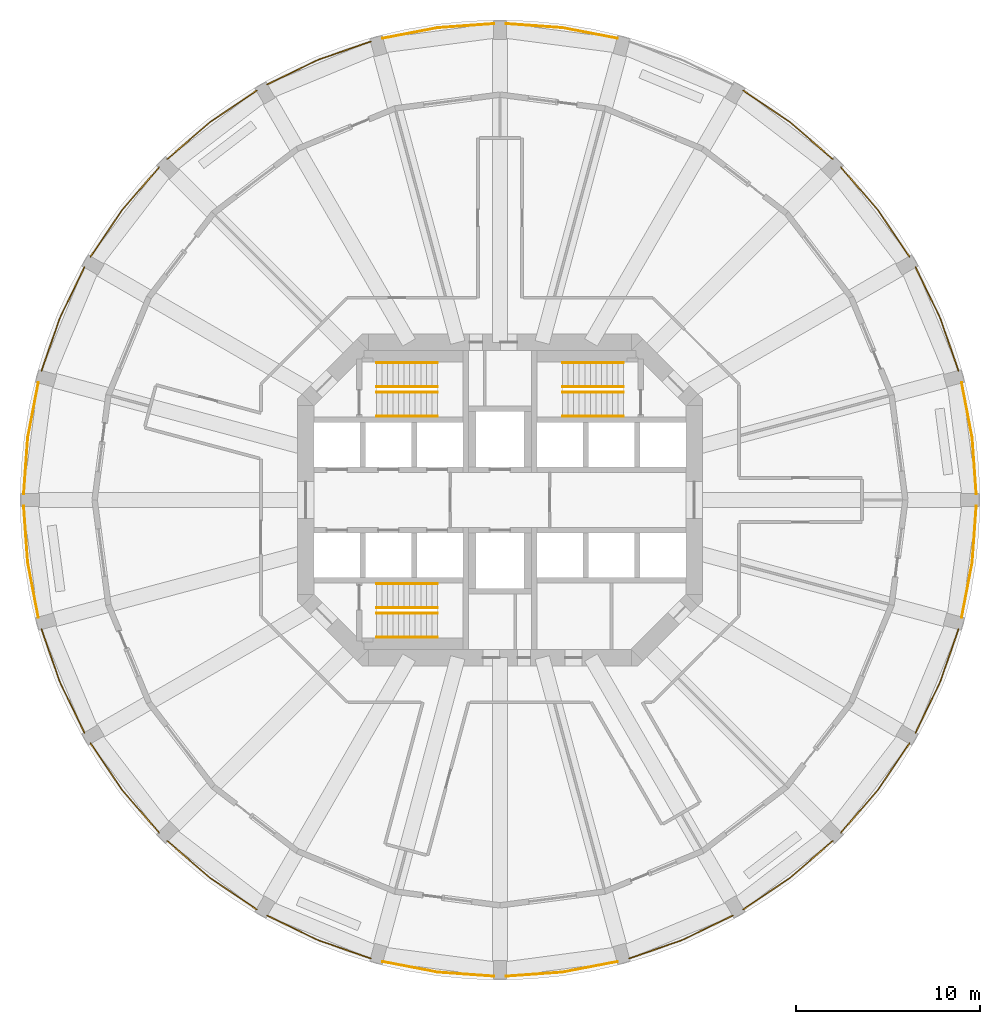
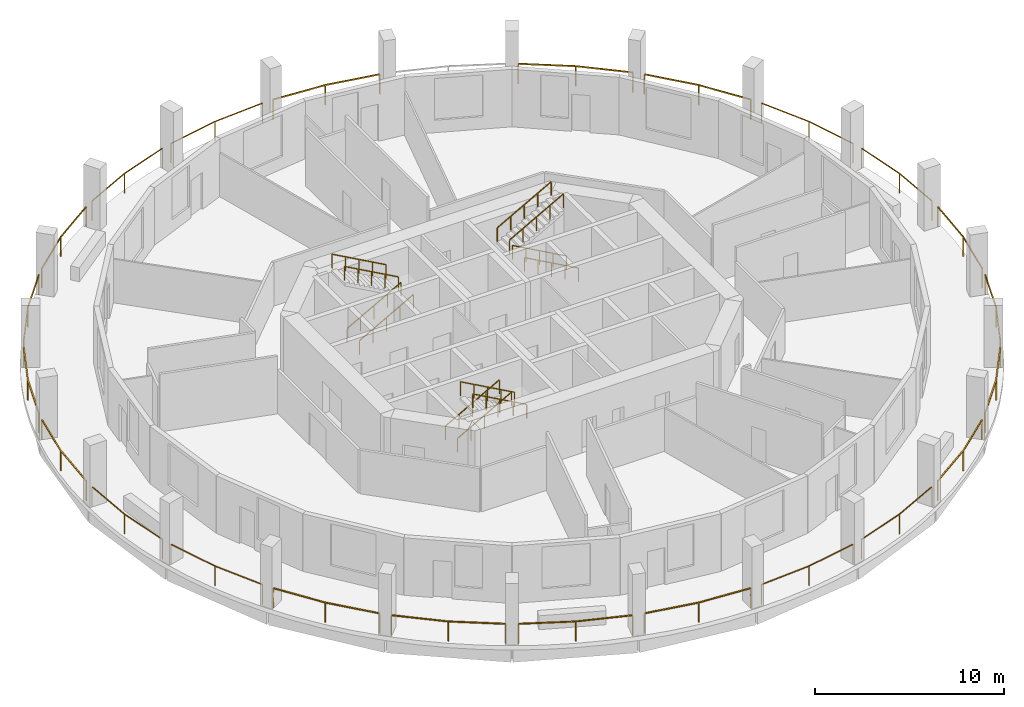
# One storey, part 7 of 8: 35 railings.
"""IFC4 building model written with IfcOpenShell, lengths in metres."""

from ifc_helpers import new_model, si_unit, direction, frame, origin, origin_2d, place, context, subcontext, project, spatial, rectangle, extrude, material, type_object, element, save


model = new_model("IFC4")

# Units and contexts
model_context = context("Model", 3, precision=1e-05, world=origin(), true_north=direction((0.0, 1.0)))
body_context = subcontext(model_context, "Body", "Model", "MODEL_VIEW")
ifc_project = project(units=[si_unit("LENGTHUNIT", "METRE"), si_unit("AREAUNIT", "SQUARE_METRE"), si_unit("VOLUMEUNIT", "CUBIC_METRE"), si_unit("PLANEANGLEUNIT", "RADIAN"), si_unit("MASSUNIT", "GRAM", prefix="KILO")], contexts=[model_context])

# Site, building, storey
site_placement = place(None, origin())
site = spatial("IfcSite", under=ifc_project, at=site_placement, CompositionType="ELEMENT")
building_placement = place(site_placement, origin())
building = spatial("IfcBuilding", under=site, at=building_placement, Name="Torre Triforio", CompositionType="ELEMENT")
storey_placement = place(building_placement, frame((0.0, 0.0, 90.60009765625)))
storey = spatial("IfcBuildingStorey", under=building, at=storey_placement, Name="L19", CompositionType="ELEMENT", Elevation=90.60009765625)

# Railings
ifc_material = material(Name="Stainless steel AISI 316", Category="steel")
railing_type_1 = type_object("IfcRailingType", Name="HANDRAIL 920", PredefinedType="HANDRAIL", material=ifc_material)
for number, where, name in (
    (1, (-6.699951171875, 4.550048828125, 0.16650390625), "Handrail ST1"),
    (2, (-6.699951171875, 5.85009765625, 0.16650390625), "Handrail ST1"),
):
    element("IfcRailing", number, at=place(storey_placement, frame(where)), inside=storey, type_object=railing_type_1, Name=name, PredefinedType="HANDRAIL", context=body_context, shape_type="SweptSolid", body=[
        extrude(rectangle(XDim=0.048095703125, YDim=0.048095703125, at=origin_2d()), frame((0.0, 0.0, 0.89599609375), z_axis=(0.874142023373, 0.0, 0.48567038511), x_axis=(0.0, 1.0, 0.0)), (0.0, 0.0, 1.0), 3.775146484375),
        extrude(rectangle(XDim=0.0419921875, YDim=0.0419921875, at=origin_2d()), origin(), (0.0, 0.0, 1.0), 0.871826171875),
        extrude(rectangle(XDim=0.0419921875, YDim=0.0419921875, at=origin_2d()), frame((0.824951171875, 0.0, 0.45849609375)), (0.0, 0.0, 1.0), 0.871826171875),
        extrude(rectangle(XDim=0.0419921875, YDim=0.0419921875, at=origin_2d()), frame((1.64990234375, 0.0, 0.916748046875)), (0.0, 0.0, 1.0), 0.871826171875),
        extrude(rectangle(XDim=0.0419921875, YDim=0.0419921875, at=origin_2d()), frame((2.47509765625, 0.0, 1.375)), (0.0, 0.0, 1.0), 0.871826171875),
        extrude(rectangle(XDim=0.0419921875, YDim=0.0419921875, at=origin_2d()), frame((3.300048828125, 0.0, 1.83349609375)), (0.0, 0.0, 1.0), 0.871826171875),
    ])
for number, where, name in (
    (3, (-3.39990234375, 7.449951171875, 2.16650390625), "Handrail ST1"),
    (4, (-3.39990234375, 6.14990234375, 2.16650390625), "Handrail ST1"),
    (5, (6.699951171875, 4.550048828125, 0.16650390625), "Handrail ST2"),
    (6, (6.699951171875, 5.85009765625, 0.16650390625), "Handrail ST2"),
):
    element("IfcRailing", number, at=place(storey_placement, frame(where)), inside=storey, type_object=railing_type_1, Name=name, PredefinedType="HANDRAIL", context=body_context, shape_type="SweptSolid", body=[
        extrude(rectangle(XDim=0.048095703125, YDim=0.048095703125, at=origin_2d()), frame((0.0, 0.0, 0.89599609375), z_axis=(-0.874142023373, 0.0, 0.48567038511), x_axis=(0.0, -1.0, 0.0)), (0.0, 0.0, 1.0), 3.775146484375),
        extrude(rectangle(XDim=0.0419921875, YDim=0.0419921875, at=origin_2d()), origin(), (0.0, 0.0, 1.0), 0.871826171875),
        extrude(rectangle(XDim=0.0419921875, YDim=0.0419921875, at=origin_2d()), frame((-0.824951171875, 0.0, 0.45849609375)), (0.0, 0.0, 1.0), 0.871826171875),
        extrude(rectangle(XDim=0.0419921875, YDim=0.0419921875, at=origin_2d()), frame((-1.64990234375, 0.0, 0.916748046875)), (0.0, 0.0, 1.0), 0.871826171875),
        extrude(rectangle(XDim=0.0419921875, YDim=0.0419921875, at=origin_2d()), frame((-2.47509765625, 0.0, 1.375)), (0.0, 0.0, 1.0), 0.871826171875),
        extrude(rectangle(XDim=0.0419921875, YDim=0.0419921875, at=origin_2d()), frame((-3.300048828125, 0.0, 1.83349609375)), (0.0, 0.0, 1.0), 0.871826171875),
    ])
for number, where, name in (
    (7, (3.39990234375, 7.449951171875, 2.16650390625), "Handrail ST2"),
    (8, (3.39990234375, 6.14990234375, 2.16650390625), "Handrail ST2"),
    (9, (-6.699951171875, -4.550048828125, 0.16650390625), "Handrail ST3"),
    (10, (-6.699951171875, -5.85009765625, 0.16650390625), "Handrail ST3"),
):
    element("IfcRailing", number, at=place(storey_placement, frame(where)), inside=storey, type_object=railing_type_1, Name=name, PredefinedType="HANDRAIL", context=body_context, shape_type="SweptSolid", body=[
        extrude(rectangle(XDim=0.048095703125, YDim=0.048095703125, at=origin_2d()), frame((0.0, 0.0, 0.89599609375), z_axis=(0.874142023373, 0.0, 0.48567038511), x_axis=(0.0, 1.0, 0.0)), (0.0, 0.0, 1.0), 3.775146484375),
        extrude(rectangle(XDim=0.0419921875, YDim=0.0419921875, at=origin_2d()), origin(), (0.0, 0.0, 1.0), 0.871826171875),
        extrude(rectangle(XDim=0.0419921875, YDim=0.0419921875, at=origin_2d()), frame((0.824951171875, 0.0, 0.45849609375)), (0.0, 0.0, 1.0), 0.871826171875),
        extrude(rectangle(XDim=0.0419921875, YDim=0.0419921875, at=origin_2d()), frame((1.64990234375, 0.0, 0.916748046875)), (0.0, 0.0, 1.0), 0.871826171875),
        extrude(rectangle(XDim=0.0419921875, YDim=0.0419921875, at=origin_2d()), frame((2.47509765625, 0.0, 1.375)), (0.0, 0.0, 1.0), 0.871826171875),
        extrude(rectangle(XDim=0.0419921875, YDim=0.0419921875, at=origin_2d()), frame((3.300048828125, 0.0, 1.83349609375)), (0.0, 0.0, 1.0), 0.871826171875),
    ])
for number, where, name in (
    (11, (-3.39990234375, -7.449951171875, 2.16650390625), "Handrail ST3"),
    (12, (-3.39990234375, -6.14990234375, 2.16650390625), "Handrail ST3"),
):
    element("IfcRailing", number, at=place(storey_placement, frame(where)), inside=storey, type_object=railing_type_1, Name=name, PredefinedType="HANDRAIL", context=body_context, shape_type="SweptSolid", body=[
        extrude(rectangle(XDim=0.048095703125, YDim=0.048095703125, at=origin_2d()), frame((0.0, 0.0, 0.89599609375), z_axis=(-0.874142023373, 0.0, 0.48567038511), x_axis=(0.0, -1.0, 0.0)), (0.0, 0.0, 1.0), 3.775146484375),
        extrude(rectangle(XDim=0.0419921875, YDim=0.0419921875, at=origin_2d()), origin(), (0.0, 0.0, 1.0), 0.871826171875),
        extrude(rectangle(XDim=0.0419921875, YDim=0.0419921875, at=origin_2d()), frame((-0.824951171875, 0.0, 0.45849609375)), (0.0, 0.0, 1.0), 0.871826171875),
        extrude(rectangle(XDim=0.0419921875, YDim=0.0419921875, at=origin_2d()), frame((-1.64990234375, 0.0, 0.916748046875)), (0.0, 0.0, 1.0), 0.871826171875),
        extrude(rectangle(XDim=0.0419921875, YDim=0.0419921875, at=origin_2d()), frame((-2.47509765625, 0.0, 1.375)), (0.0, 0.0, 1.0), 0.871826171875),
        extrude(rectangle(XDim=0.0419921875, YDim=0.0419921875, at=origin_2d()), frame((-3.300048828125, 0.0, 1.83349609375)), (0.0, 0.0, 1.0), 0.871826171875),
    ])
railing_type_2 = type_object("IfcRailingType", Name="Loggia guard 1300", PredefinedType="GUARDRAIL", material=ifc_material)
railing_1_placement = place(storey_placement, frame((25.85009765625, 0.320068359375, 0.0)))
element("IfcRailing", 13, at=railing_1_placement, inside=storey, type_object=railing_type_2, Name="Loggia guard L19 bay 01", PredefinedType="GUARDRAIL", context=body_context, shape_type="SweptSolid", body=[
    extrude(rectangle(XDim=0.050048828125, YDim=0.050048828125, at=origin_2d()), frame((0.0, 0.0, 1.27490234375), z_axis=(-0.072238625319, 0.997387377608, 0.0), x_axis=(-0.997387377608, -0.072238625319, 0.0)), (0.0, 0.0, 1.0), 3.06201171875),
    extrude(rectangle(XDim=0.050048828125, YDim=0.050048828125, at=origin_2d()), frame((-0.22119140625, 3.053955078125, 1.27490234375), z_axis=(-0.188397892972, 0.982092782747, 0.0), x_axis=(-0.982092782747, -0.188397892972, 0.0)), (0.0, 0.0, 1.0), 3.062255859375),
    extrude(rectangle(XDim=0.0400390625, YDim=0.0400390625, at=origin_2d()), origin(), (0.0, 0.0, 1.0), 1.25),
    extrude(rectangle(XDim=0.0400390625, YDim=0.0400390625, at=origin_2d()), frame((-0.22119140625, 3.053955078125, 0.0)), (0.0, 0.0, 1.0), 1.25),
    extrude(rectangle(XDim=0.0400390625, YDim=0.0400390625, at=origin_2d()), frame((-0.798095703125, 6.061279296875, 0.0)), (0.0, 0.0, 1.0), 1.25),
])
railing_2_placement = place(storey_placement, frame((24.886474609375, 6.99951171875, 0.0)))
element("IfcRailing", 14, at=railing_2_placement, inside=storey, type_object=railing_type_2, Name="Loggia guard L19 bay 02", PredefinedType="GUARDRAIL", context=body_context, shape_type="SweptSolid", body=[
    extrude(rectangle(XDim=0.050048828125, YDim=0.050048828125, at=origin_2d()), frame((0.0, 0.0, 1.27490234375), z_axis=(-0.327923737665, 0.944704198295, 0.0), x_axis=(-0.944704198295, -0.327923737665, 0.0)), (0.0, 0.0, 1.0), 3.062255859375),
    extrude(rectangle(XDim=0.050048828125, YDim=0.050048828125, at=origin_2d()), frame((-1.004150390625, 2.892822265625, 1.27490234375), z_axis=(-0.436113094806, 0.899891864914, 0.0), x_axis=(-0.899891864914, -0.436113094806, 0.0)), (0.0, 0.0, 1.0), 3.062255859375),
    extrude(rectangle(XDim=0.0400390625, YDim=0.0400390625, at=origin_2d()), origin(), (0.0, 0.0, 1.0), 1.25),
    extrude(rectangle(XDim=0.0400390625, YDim=0.0400390625, at=origin_2d()), frame((-1.004150390625, 2.892822265625, 0.0)), (0.0, 0.0, 1.0), 1.25),
    extrude(rectangle(XDim=0.0400390625, YDim=0.0400390625, at=origin_2d()), frame((-2.339599609375, 5.6484375, 0.0)), (0.0, 0.0, 1.0), 1.25),
])
railing_3_placement = place(storey_placement, frame((22.226806640625, 13.2021484375, 0.0)))
element("IfcRailing", 15, at=railing_3_placement, inside=storey, type_object=railing_type_2, Name="Loggia guard L19 bay 03", PredefinedType="GUARDRAIL", context=body_context, shape_type="SweptSolid", body=[
    extrude(rectangle(XDim=0.050048828125, YDim=0.050048828125, at=origin_2d()), frame((0.0, 0.0, 1.27490234375), z_axis=(-0.561214776852, 0.827670208624, 0.0), x_axis=(-0.827670208624, -0.561214776852, 0.0)), (0.0, 0.0, 1.0), 3.06201171875),
    extrude(rectangle(XDim=0.050048828125, YDim=0.050048828125, at=origin_2d()), frame((-1.718505859375, 2.534423828125, 1.27490234375), z_axis=(-0.654238218872, 0.75628853817, 0.0), x_axis=(-0.75628853817, -0.654238218872, 0.0)), (0.0, 0.0, 1.0), 3.062255859375),
    extrude(rectangle(XDim=0.0400390625, YDim=0.0400390625, at=origin_2d()), origin(), (0.0, 0.0, 1.0), 1.25),
    extrude(rectangle(XDim=0.0400390625, YDim=0.0400390625, at=origin_2d()), frame((-1.718505859375, 2.534423828125, 0.0)), (0.0, 0.0, 1.0), 1.25),
    extrude(rectangle(XDim=0.0400390625, YDim=0.0400390625, at=origin_2d()), frame((-3.721923828125, 4.850341796875, 0.0)), (0.0, 0.0, 1.0), 1.25),
])
railing_4_placement = place(storey_placement, frame((18.052490234375, 18.5048828125, 0.0)))
element("IfcRailing", 16, at=railing_4_placement, inside=storey, type_object=railing_type_2, Name="Loggia guard L19 bay 04", PredefinedType="GUARDRAIL", context=body_context, shape_type="SweptSolid", body=[
    extrude(rectangle(XDim=0.050048828125, YDim=0.050048828125, at=origin_2d()), frame((0.0, 0.0, 1.27490234375), z_axis=(-0.75628853817, 0.654238218872, 0.0), x_axis=(-0.654238218872, -0.75628853817, 0.0)), (0.0, 0.0, 1.0), 3.062255859375),
    extrude(rectangle(XDim=0.050048828125, YDim=0.050048828125, at=origin_2d()), frame((-2.31591796875, 2.00341796875, 1.27490234375), z_axis=(-0.827670208624, 0.561214776852, 0.0), x_axis=(-0.561214776852, -0.827670208624, 0.0)), (0.0, 0.0, 1.0), 3.06201171875),
    extrude(rectangle(XDim=0.0400390625, YDim=0.0400390625, at=origin_2d()), origin(), (0.0, 0.0, 1.0), 1.25),
    extrude(rectangle(XDim=0.0400390625, YDim=0.0400390625, at=origin_2d()), frame((-2.31591796875, 2.00341796875, 0.0)), (0.0, 0.0, 1.0), 1.25),
    extrude(rectangle(XDim=0.0400390625, YDim=0.0400390625, at=origin_2d()), frame((-4.850341796875, 3.721923828125, 0.0)), (0.0, 0.0, 1.0), 1.25),
])
railing_5_placement = place(storey_placement, frame((6.38134765625, 25.052001953125, 0.0)))
element("IfcRailing", 17, at=railing_5_placement, inside=storey, type_object=railing_type_2, Name="Loggia guard L19 bay 06", PredefinedType="GUARDRAIL", context=body_context, shape_type="SweptSolid", body=[
    extrude(rectangle(XDim=0.050048828125, YDim=0.050048828125, at=origin_2d()), frame((0.0, 0.0, 1.27490234375), z_axis=(-0.982092782747, 0.188397892972, 0.0), x_axis=(-0.188397892972, -0.982092782747, 0.0)), (0.0, 0.0, 1.0), 3.062255859375),
    extrude(rectangle(XDim=0.050048828125, YDim=0.050048828125, at=origin_2d()), frame((-3.00732421875, 0.576904296875, 1.27490234375), z_axis=(-0.997387377608, 0.072238625319, 0.0), x_axis=(-0.072238625319, -0.997387377608, 0.0)), (0.0, 0.0, 1.0), 3.06201171875),
    extrude(rectangle(XDim=0.0400390625, YDim=0.0400390625, at=origin_2d()), origin(), (0.0, 0.0, 1.0), 1.25),
    extrude(rectangle(XDim=0.0400390625, YDim=0.0400390625, at=origin_2d()), frame((-3.00732421875, 0.576904296875, 0.0)), (0.0, 0.0, 1.0), 1.25),
    extrude(rectangle(XDim=0.0400390625, YDim=0.0400390625, at=origin_2d()), frame((-6.061279296875, 0.798095703125, 0.0)), (0.0, 0.0, 1.0), 1.25),
])
railing_6_placement = place(storey_placement, frame((-0.320068359375, 25.85009765625, 0.0)))
element("IfcRailing", 18, at=railing_6_placement, inside=storey, type_object=railing_type_2, Name="Loggia guard L19 bay 07", PredefinedType="GUARDRAIL", context=body_context, shape_type="SweptSolid", body=[
    extrude(rectangle(XDim=0.050048828125, YDim=0.050048828125, at=origin_2d()), frame((0.0, 0.0, 1.27490234375), z_axis=(-0.997387377608, -0.072238625319, 0.0), x_axis=(0.072238625319, -0.997387377608, 0.0)), (0.0, 0.0, 1.0), 3.06201171875),
    extrude(rectangle(XDim=0.050048828125, YDim=0.050048828125, at=origin_2d()), frame((-3.053955078125, -0.22119140625, 1.27490234375), z_axis=(-0.982092782747, -0.188397892972, 0.0), x_axis=(0.188397892972, -0.982092782747, 0.0)), (0.0, 0.0, 1.0), 3.062255859375),
    extrude(rectangle(XDim=0.0400390625, YDim=0.0400390625, at=origin_2d()), origin(), (0.0, 0.0, 1.0), 1.25),
    extrude(rectangle(XDim=0.0400390625, YDim=0.0400390625, at=origin_2d()), frame((-3.053955078125, -0.22119140625, 0.0)), (0.0, 0.0, 1.0), 1.25),
    extrude(rectangle(XDim=0.0400390625, YDim=0.0400390625, at=origin_2d()), frame((-6.061279296875, -0.798095703125, 0.0)), (0.0, 0.0, 1.0), 1.25),
])
railing_7_placement = place(storey_placement, frame((-6.99951171875, 24.886474609375, 0.0)))
element("IfcRailing", 19, at=railing_7_placement, inside=storey, type_object=railing_type_2, Name="Loggia guard L19 bay 08", PredefinedType="GUARDRAIL", context=body_context, shape_type="SweptSolid", body=[
    extrude(rectangle(XDim=0.050048828125, YDim=0.050048828125, at=origin_2d()), frame((0.0, 0.0, 1.27490234375), z_axis=(-0.944704198295, -0.327923737665, 0.0), x_axis=(0.327923737665, -0.944704198295, 0.0)), (0.0, 0.0, 1.0), 3.062255859375),
    extrude(rectangle(XDim=0.050048828125, YDim=0.050048828125, at=origin_2d()), frame((-2.892822265625, -1.004150390625, 1.27490234375), z_axis=(-0.899891864914, -0.436113094806, 0.0), x_axis=(0.436113094806, -0.899891864914, 0.0)), (0.0, 0.0, 1.0), 3.062255859375),
    extrude(rectangle(XDim=0.0400390625, YDim=0.0400390625, at=origin_2d()), origin(), (0.0, 0.0, 1.0), 1.25),
    extrude(rectangle(XDim=0.0400390625, YDim=0.0400390625, at=origin_2d()), frame((-2.892822265625, -1.004150390625, 0.0)), (0.0, 0.0, 1.0), 1.25),
    extrude(rectangle(XDim=0.0400390625, YDim=0.0400390625, at=origin_2d()), frame((-5.6484375, -2.339599609375, 0.0)), (0.0, 0.0, 1.0), 1.25),
])
railing_8_placement = place(storey_placement, frame((-13.2021484375, 22.226806640625, 0.0)))
element("IfcRailing", 20, at=railing_8_placement, inside=storey, type_object=railing_type_2, Name="Loggia guard L19 bay 09", PredefinedType="GUARDRAIL", context=body_context, shape_type="SweptSolid", body=[
    extrude(rectangle(XDim=0.050048828125, YDim=0.050048828125, at=origin_2d()), frame((0.0, 0.0, 1.27490234375), z_axis=(-0.827670208624, -0.561214776852, 0.0), x_axis=(0.561214776852, -0.827670208624, 0.0)), (0.0, 0.0, 1.0), 3.06201171875),
    extrude(rectangle(XDim=0.050048828125, YDim=0.050048828125, at=origin_2d()), frame((-2.534423828125, -1.718505859375, 1.27490234375), z_axis=(-0.75628853817, -0.654238218872, 0.0), x_axis=(0.654238218872, -0.75628853817, 0.0)), (0.0, 0.0, 1.0), 3.062255859375),
    extrude(rectangle(XDim=0.0400390625, YDim=0.0400390625, at=origin_2d()), origin(), (0.0, 0.0, 1.0), 1.25),
    extrude(rectangle(XDim=0.0400390625, YDim=0.0400390625, at=origin_2d()), frame((-2.534423828125, -1.718505859375, 0.0)), (0.0, 0.0, 1.0), 1.25),
    extrude(rectangle(XDim=0.0400390625, YDim=0.0400390625, at=origin_2d()), frame((-4.850341796875, -3.721923828125, 0.0)), (0.0, 0.0, 1.0), 1.25),
])
railing_9_placement = place(storey_placement, frame((-18.5048828125, 18.052490234375, 0.0)))
element("IfcRailing", 21, at=railing_9_placement, inside=storey, type_object=railing_type_2, Name="Loggia guard L19 bay 10", PredefinedType="GUARDRAIL", context=body_context, shape_type="SweptSolid", body=[
    extrude(rectangle(XDim=0.050048828125, YDim=0.050048828125, at=origin_2d()), frame((0.0, 0.0, 1.27490234375), z_axis=(-0.654238218872, -0.75628853817, 0.0), x_axis=(0.75628853817, -0.654238218872, 0.0)), (0.0, 0.0, 1.0), 3.062255859375),
    extrude(rectangle(XDim=0.050048828125, YDim=0.050048828125, at=origin_2d()), frame((-2.00341796875, -2.31591796875, 1.27490234375), z_axis=(-0.561214776852, -0.827670208624, 0.0), x_axis=(0.827670208624, -0.561214776852, 0.0)), (0.0, 0.0, 1.0), 3.06201171875),
    extrude(rectangle(XDim=0.0400390625, YDim=0.0400390625, at=origin_2d()), origin(), (0.0, 0.0, 1.0), 1.25),
    extrude(rectangle(XDim=0.0400390625, YDim=0.0400390625, at=origin_2d()), frame((-2.00341796875, -2.31591796875, 0.0)), (0.0, 0.0, 1.0), 1.25),
    extrude(rectangle(XDim=0.0400390625, YDim=0.0400390625, at=origin_2d()), frame((-3.721923828125, -4.850341796875, 0.0)), (0.0, 0.0, 1.0), 1.25),
])
railing_10_placement = place(storey_placement, frame((-22.546875, 12.64794921875, 0.0)))
element("IfcRailing", 22, at=railing_10_placement, inside=storey, type_object=railing_type_2, Name="Loggia guard L19 bay 11", PredefinedType="GUARDRAIL", context=body_context, shape_type="SweptSolid", body=[
    extrude(rectangle(XDim=0.050048828125, YDim=0.050048828125, at=origin_2d()), frame((0.0, 0.0, 1.27490234375), z_axis=(-0.436113094806, -0.899891864914, 0.0), x_axis=(0.899891864914, -0.436113094806, 0.0)), (0.0, 0.0, 1.0), 3.062255859375),
    extrude(rectangle(XDim=0.050048828125, YDim=0.050048828125, at=origin_2d()), frame((-1.33544921875, -2.755615234375, 1.27490234375), z_axis=(-0.327923737665, -0.944704198295, 0.0), x_axis=(0.944704198295, -0.327923737665, 0.0)), (0.0, 0.0, 1.0), 3.062255859375),
    extrude(rectangle(XDim=0.0400390625, YDim=0.0400390625, at=origin_2d()), origin(), (0.0, 0.0, 1.0), 1.25),
    extrude(rectangle(XDim=0.0400390625, YDim=0.0400390625, at=origin_2d()), frame((-1.33544921875, -2.755615234375, 0.0)), (0.0, 0.0, 1.0), 1.25),
    extrude(rectangle(XDim=0.0400390625, YDim=0.0400390625, at=origin_2d()), frame((-2.339599609375, -5.6484375, 0.0)), (0.0, 0.0, 1.0), 1.25),
])
railing_11_placement = place(storey_placement, frame((-25.052001953125, 6.38134765625, 0.0)))
element("IfcRailing", 23, at=railing_11_placement, inside=storey, type_object=railing_type_2, Name="Loggia guard L19 bay 12", PredefinedType="GUARDRAIL", context=body_context, shape_type="SweptSolid", body=[
    extrude(rectangle(XDim=0.050048828125, YDim=0.050048828125, at=origin_2d()), frame((0.0, 0.0, 1.27490234375), z_axis=(-0.188397892972, -0.982092782747, 0.0), x_axis=(0.982092782747, -0.188397892972, 0.0)), (0.0, 0.0, 1.0), 3.062255859375),
    extrude(rectangle(XDim=0.050048828125, YDim=0.050048828125, at=origin_2d()), frame((-0.576904296875, -3.00732421875, 1.27490234375), z_axis=(-0.072238625319, -0.997387377608, 0.0), x_axis=(0.997387377608, -0.072238625319, 0.0)), (0.0, 0.0, 1.0), 3.06201171875),
    extrude(rectangle(XDim=0.0400390625, YDim=0.0400390625, at=origin_2d()), origin(), (0.0, 0.0, 1.0), 1.25),
    extrude(rectangle(XDim=0.0400390625, YDim=0.0400390625, at=origin_2d()), frame((-0.576904296875, -3.00732421875, 0.0)), (0.0, 0.0, 1.0), 1.25),
    extrude(rectangle(XDim=0.0400390625, YDim=0.0400390625, at=origin_2d()), frame((-0.798095703125, -6.061279296875, 0.0)), (0.0, 0.0, 1.0), 1.25),
])
railing_12_placement = place(storey_placement, frame((-25.85009765625, -0.320068359375, 0.0)))
element("IfcRailing", 24, at=railing_12_placement, inside=storey, type_object=railing_type_2, Name="Loggia guard L19 bay 13", PredefinedType="GUARDRAIL", context=body_context, shape_type="SweptSolid", body=[
    extrude(rectangle(XDim=0.050048828125, YDim=0.050048828125, at=origin_2d()), frame((0.0, 0.0, 1.27490234375), z_axis=(0.072238625319, -0.997387377608, 0.0), x_axis=(0.997387377608, 0.072238625319, 0.0)), (0.0, 0.0, 1.0), 3.06201171875),
    extrude(rectangle(XDim=0.050048828125, YDim=0.050048828125, at=origin_2d()), frame((0.22119140625, -3.053955078125, 1.27490234375), z_axis=(0.188397892972, -0.982092782747, 0.0), x_axis=(0.982092782747, 0.188397892972, 0.0)), (0.0, 0.0, 1.0), 3.062255859375),
    extrude(rectangle(XDim=0.0400390625, YDim=0.0400390625, at=origin_2d()), origin(), (0.0, 0.0, 1.0), 1.25),
    extrude(rectangle(XDim=0.0400390625, YDim=0.0400390625, at=origin_2d()), frame((0.22119140625, -3.053955078125, 0.0)), (0.0, 0.0, 1.0), 1.25),
    extrude(rectangle(XDim=0.0400390625, YDim=0.0400390625, at=origin_2d()), frame((0.798095703125, -6.061279296875, 0.0)), (0.0, 0.0, 1.0), 1.25),
])
railing_13_placement = place(storey_placement, frame((-24.886474609375, -6.99951171875, 0.0)))
element("IfcRailing", 25, at=railing_13_placement, inside=storey, type_object=railing_type_2, Name="Loggia guard L19 bay 14", PredefinedType="GUARDRAIL", context=body_context, shape_type="SweptSolid", body=[
    extrude(rectangle(XDim=0.050048828125, YDim=0.050048828125, at=origin_2d()), frame((0.0, 0.0, 1.27490234375), z_axis=(0.327923737665, -0.944704198295, 0.0), x_axis=(0.944704198295, 0.327923737665, 0.0)), (0.0, 0.0, 1.0), 3.062255859375),
    extrude(rectangle(XDim=0.050048828125, YDim=0.050048828125, at=origin_2d()), frame((1.004150390625, -2.892822265625, 1.27490234375), z_axis=(0.436113094806, -0.899891864914, 0.0), x_axis=(0.899891864914, 0.436113094806, 0.0)), (0.0, 0.0, 1.0), 3.062255859375),
    extrude(rectangle(XDim=0.0400390625, YDim=0.0400390625, at=origin_2d()), origin(), (0.0, 0.0, 1.0), 1.25),
    extrude(rectangle(XDim=0.0400390625, YDim=0.0400390625, at=origin_2d()), frame((1.004150390625, -2.892822265625, 0.0)), (0.0, 0.0, 1.0), 1.25),
    extrude(rectangle(XDim=0.0400390625, YDim=0.0400390625, at=origin_2d()), frame((2.339599609375, -5.6484375, 0.0)), (0.0, 0.0, 1.0), 1.25),
])
railing_14_placement = place(storey_placement, frame((-22.226806640625, -13.2021484375, 0.0)))
element("IfcRailing", 26, at=railing_14_placement, inside=storey, type_object=railing_type_2, Name="Loggia guard L19 bay 15", PredefinedType="GUARDRAIL", context=body_context, shape_type="SweptSolid", body=[
    extrude(rectangle(XDim=0.050048828125, YDim=0.050048828125, at=origin_2d()), frame((0.0, 0.0, 1.27490234375), z_axis=(0.561214776852, -0.827670208624, 0.0), x_axis=(0.827670208624, 0.561214776852, 0.0)), (0.0, 0.0, 1.0), 3.06201171875),
    extrude(rectangle(XDim=0.050048828125, YDim=0.050048828125, at=origin_2d()), frame((1.718505859375, -2.534423828125, 1.27490234375), z_axis=(0.654238218872, -0.75628853817, 0.0), x_axis=(0.75628853817, 0.654238218872, 0.0)), (0.0, 0.0, 1.0), 3.062255859375),
    extrude(rectangle(XDim=0.0400390625, YDim=0.0400390625, at=origin_2d()), origin(), (0.0, 0.0, 1.0), 1.25),
    extrude(rectangle(XDim=0.0400390625, YDim=0.0400390625, at=origin_2d()), frame((1.718505859375, -2.534423828125, 0.0)), (0.0, 0.0, 1.0), 1.25),
    extrude(rectangle(XDim=0.0400390625, YDim=0.0400390625, at=origin_2d()), frame((3.721923828125, -4.850341796875, 0.0)), (0.0, 0.0, 1.0), 1.25),
])
railing_15_placement = place(storey_placement, frame((-18.052490234375, -18.5048828125, 0.0)))
element("IfcRailing", 27, at=railing_15_placement, inside=storey, type_object=railing_type_2, Name="Loggia guard L19 bay 16", PredefinedType="GUARDRAIL", context=body_context, shape_type="SweptSolid", body=[
    extrude(rectangle(XDim=0.050048828125, YDim=0.050048828125, at=origin_2d()), frame((0.0, 0.0, 1.27490234375), z_axis=(0.75628853817, -0.654238218872, 0.0), x_axis=(0.654238218872, 0.75628853817, 0.0)), (0.0, 0.0, 1.0), 3.062255859375),
    extrude(rectangle(XDim=0.050048828125, YDim=0.050048828125, at=origin_2d()), frame((2.31591796875, -2.00341796875, 1.27490234375), z_axis=(0.827670208624, -0.561214776852, 0.0), x_axis=(0.561214776852, 0.827670208624, 0.0)), (0.0, 0.0, 1.0), 3.06201171875),
    extrude(rectangle(XDim=0.0400390625, YDim=0.0400390625, at=origin_2d()), origin(), (0.0, 0.0, 1.0), 1.25),
    extrude(rectangle(XDim=0.0400390625, YDim=0.0400390625, at=origin_2d()), frame((2.31591796875, -2.00341796875, 0.0)), (0.0, 0.0, 1.0), 1.25),
    extrude(rectangle(XDim=0.0400390625, YDim=0.0400390625, at=origin_2d()), frame((4.850341796875, -3.721923828125, 0.0)), (0.0, 0.0, 1.0), 1.25),
])
railing_16_placement = place(storey_placement, frame((-12.64794921875, -22.546875, 0.0)))
element("IfcRailing", 28, at=railing_16_placement, inside=storey, type_object=railing_type_2, Name="Loggia guard L19 bay 17", PredefinedType="GUARDRAIL", context=body_context, shape_type="SweptSolid", body=[
    extrude(rectangle(XDim=0.050048828125, YDim=0.050048828125, at=origin_2d()), frame((0.0, 0.0, 1.27490234375), z_axis=(0.899891864914, -0.436113094806, 0.0), x_axis=(0.436113094806, 0.899891864914, 0.0)), (0.0, 0.0, 1.0), 3.062255859375),
    extrude(rectangle(XDim=0.050048828125, YDim=0.050048828125, at=origin_2d()), frame((2.755615234375, -1.33544921875, 1.27490234375), z_axis=(0.944704198295, -0.327923737665, 0.0), x_axis=(0.327923737665, 0.944704198295, 0.0)), (0.0, 0.0, 1.0), 3.062255859375),
    extrude(rectangle(XDim=0.0400390625, YDim=0.0400390625, at=origin_2d()), origin(), (0.0, 0.0, 1.0), 1.25),
    extrude(rectangle(XDim=0.0400390625, YDim=0.0400390625, at=origin_2d()), frame((2.755615234375, -1.33544921875, 0.0)), (0.0, 0.0, 1.0), 1.25),
    extrude(rectangle(XDim=0.0400390625, YDim=0.0400390625, at=origin_2d()), frame((5.6484375, -2.339599609375, 0.0)), (0.0, 0.0, 1.0), 1.25),
])
railing_17_placement = place(storey_placement, frame((-6.38134765625, -25.052001953125, 0.0)))
element("IfcRailing", 29, at=railing_17_placement, inside=storey, type_object=railing_type_2, Name="Loggia guard L19 bay 18", PredefinedType="GUARDRAIL", context=body_context, shape_type="SweptSolid", body=[
    extrude(rectangle(XDim=0.050048828125, YDim=0.050048828125, at=origin_2d()), frame((0.0, 0.0, 1.27490234375), z_axis=(0.982092782747, -0.188397892972, 0.0), x_axis=(0.188397892972, 0.982092782747, 0.0)), (0.0, 0.0, 1.0), 3.062255859375),
    extrude(rectangle(XDim=0.050048828125, YDim=0.050048828125, at=origin_2d()), frame((3.00732421875, -0.576904296875, 1.27490234375), z_axis=(0.997387377608, -0.072238625319, 0.0), x_axis=(0.072238625319, 0.997387377608, 0.0)), (0.0, 0.0, 1.0), 3.06201171875),
    extrude(rectangle(XDim=0.0400390625, YDim=0.0400390625, at=origin_2d()), origin(), (0.0, 0.0, 1.0), 1.25),
    extrude(rectangle(XDim=0.0400390625, YDim=0.0400390625, at=origin_2d()), frame((3.00732421875, -0.576904296875, 0.0)), (0.0, 0.0, 1.0), 1.25),
    extrude(rectangle(XDim=0.0400390625, YDim=0.0400390625, at=origin_2d()), frame((6.061279296875, -0.798095703125, 0.0)), (0.0, 0.0, 1.0), 1.25),
])
railing_18_placement = place(storey_placement, frame((0.320068359375, -25.85009765625, 0.0)))
element("IfcRailing", 30, at=railing_18_placement, inside=storey, type_object=railing_type_2, Name="Loggia guard L19 bay 19", PredefinedType="GUARDRAIL", context=body_context, shape_type="SweptSolid", body=[
    extrude(rectangle(XDim=0.050048828125, YDim=0.050048828125, at=origin_2d()), frame((0.0, 0.0, 1.27490234375), z_axis=(0.997387377608, 0.072238625319, 0.0), x_axis=(-0.072238625319, 0.997387377608, 0.0)), (0.0, 0.0, 1.0), 3.06201171875),
    extrude(rectangle(XDim=0.050048828125, YDim=0.050048828125, at=origin_2d()), frame((3.053955078125, 0.22119140625, 1.27490234375), z_axis=(0.982092782747, 0.188397892972, 0.0), x_axis=(-0.188397892972, 0.982092782747, 0.0)), (0.0, 0.0, 1.0), 3.062255859375),
    extrude(rectangle(XDim=0.0400390625, YDim=0.0400390625, at=origin_2d()), origin(), (0.0, 0.0, 1.0), 1.25),
    extrude(rectangle(XDim=0.0400390625, YDim=0.0400390625, at=origin_2d()), frame((3.053955078125, 0.22119140625, 0.0)), (0.0, 0.0, 1.0), 1.25),
    extrude(rectangle(XDim=0.0400390625, YDim=0.0400390625, at=origin_2d()), frame((6.061279296875, 0.798095703125, 0.0)), (0.0, 0.0, 1.0), 1.25),
])
railing_19_placement = place(storey_placement, frame((6.99951171875, -24.886474609375, 0.0)))
element("IfcRailing", 31, at=railing_19_placement, inside=storey, type_object=railing_type_2, Name="Loggia guard L19 bay 20", PredefinedType="GUARDRAIL", context=body_context, shape_type="SweptSolid", body=[
    extrude(rectangle(XDim=0.050048828125, YDim=0.050048828125, at=origin_2d()), frame((0.0, 0.0, 1.27490234375), z_axis=(0.944704198295, 0.327923737665, 0.0), x_axis=(-0.327923737665, 0.944704198295, 0.0)), (0.0, 0.0, 1.0), 3.062255859375),
    extrude(rectangle(XDim=0.050048828125, YDim=0.050048828125, at=origin_2d()), frame((2.892822265625, 1.004150390625, 1.27490234375), z_axis=(0.899891864914, 0.436113094806, 0.0), x_axis=(-0.436113094806, 0.899891864914, 0.0)), (0.0, 0.0, 1.0), 3.062255859375),
    extrude(rectangle(XDim=0.0400390625, YDim=0.0400390625, at=origin_2d()), origin(), (0.0, 0.0, 1.0), 1.25),
    extrude(rectangle(XDim=0.0400390625, YDim=0.0400390625, at=origin_2d()), frame((2.892822265625, 1.004150390625, 0.0)), (0.0, 0.0, 1.0), 1.25),
    extrude(rectangle(XDim=0.0400390625, YDim=0.0400390625, at=origin_2d()), frame((5.6484375, 2.339599609375, 0.0)), (0.0, 0.0, 1.0), 1.25),
])
railing_20_placement = place(storey_placement, frame((13.2021484375, -22.226806640625, 0.0)))
element("IfcRailing", 32, at=railing_20_placement, inside=storey, type_object=railing_type_2, Name="Loggia guard L19 bay 21", PredefinedType="GUARDRAIL", context=body_context, shape_type="SweptSolid", body=[
    extrude(rectangle(XDim=0.050048828125, YDim=0.050048828125, at=origin_2d()), frame((0.0, 0.0, 1.27490234375), z_axis=(0.827670208624, 0.561214776852, 0.0), x_axis=(-0.561214776852, 0.827670208624, 0.0)), (0.0, 0.0, 1.0), 3.06201171875),
    extrude(rectangle(XDim=0.050048828125, YDim=0.050048828125, at=origin_2d()), frame((2.534423828125, 1.718505859375, 1.27490234375), z_axis=(0.75628853817, 0.654238218872, 0.0), x_axis=(-0.654238218872, 0.75628853817, 0.0)), (0.0, 0.0, 1.0), 3.062255859375),
    extrude(rectangle(XDim=0.0400390625, YDim=0.0400390625, at=origin_2d()), origin(), (0.0, 0.0, 1.0), 1.25),
    extrude(rectangle(XDim=0.0400390625, YDim=0.0400390625, at=origin_2d()), frame((2.534423828125, 1.718505859375, 0.0)), (0.0, 0.0, 1.0), 1.25),
    extrude(rectangle(XDim=0.0400390625, YDim=0.0400390625, at=origin_2d()), frame((4.850341796875, 3.721923828125, 0.0)), (0.0, 0.0, 1.0), 1.25),
])
railing_21_placement = place(storey_placement, frame((18.5048828125, -18.052490234375, 0.0)))
element("IfcRailing", 33, at=railing_21_placement, inside=storey, type_object=railing_type_2, Name="Loggia guard L19 bay 22", PredefinedType="GUARDRAIL", context=body_context, shape_type="SweptSolid", body=[
    extrude(rectangle(XDim=0.050048828125, YDim=0.050048828125, at=origin_2d()), frame((0.0, 0.0, 1.27490234375), z_axis=(0.654238218872, 0.75628853817, 0.0), x_axis=(-0.75628853817, 0.654238218872, 0.0)), (0.0, 0.0, 1.0), 3.062255859375),
    extrude(rectangle(XDim=0.050048828125, YDim=0.050048828125, at=origin_2d()), frame((2.00341796875, 2.31591796875, 1.27490234375), z_axis=(0.561214776852, 0.827670208624, 0.0), x_axis=(-0.827670208624, 0.561214776852, 0.0)), (0.0, 0.0, 1.0), 3.06201171875),
    extrude(rectangle(XDim=0.0400390625, YDim=0.0400390625, at=origin_2d()), origin(), (0.0, 0.0, 1.0), 1.25),
    extrude(rectangle(XDim=0.0400390625, YDim=0.0400390625, at=origin_2d()), frame((2.00341796875, 2.31591796875, 0.0)), (0.0, 0.0, 1.0), 1.25),
    extrude(rectangle(XDim=0.0400390625, YDim=0.0400390625, at=origin_2d()), frame((3.721923828125, 4.850341796875, 0.0)), (0.0, 0.0, 1.0), 1.25),
])
railing_22_placement = place(storey_placement, frame((22.546875, -12.64794921875, 0.0)))
element("IfcRailing", 34, at=railing_22_placement, inside=storey, type_object=railing_type_2, Name="Loggia guard L19 bay 23", PredefinedType="GUARDRAIL", context=body_context, shape_type="SweptSolid", body=[
    extrude(rectangle(XDim=0.050048828125, YDim=0.050048828125, at=origin_2d()), frame((0.0, 0.0, 1.27490234375), z_axis=(0.436113094806, 0.899891864914, 0.0), x_axis=(-0.899891864914, 0.436113094806, 0.0)), (0.0, 0.0, 1.0), 3.062255859375),
    extrude(rectangle(XDim=0.050048828125, YDim=0.050048828125, at=origin_2d()), frame((1.33544921875, 2.755615234375, 1.27490234375), z_axis=(0.327923737665, 0.944704198295, 0.0), x_axis=(-0.944704198295, 0.327923737665, 0.0)), (0.0, 0.0, 1.0), 3.062255859375),
    extrude(rectangle(XDim=0.0400390625, YDim=0.0400390625, at=origin_2d()), origin(), (0.0, 0.0, 1.0), 1.25),
    extrude(rectangle(XDim=0.0400390625, YDim=0.0400390625, at=origin_2d()), frame((1.33544921875, 2.755615234375, 0.0)), (0.0, 0.0, 1.0), 1.25),
    extrude(rectangle(XDim=0.0400390625, YDim=0.0400390625, at=origin_2d()), frame((2.339599609375, 5.6484375, 0.0)), (0.0, 0.0, 1.0), 1.25),
])
railing_23_placement = place(storey_placement, frame((25.052001953125, -6.38134765625, 0.0)))
element("IfcRailing", 35, at=railing_23_placement, inside=storey, type_object=railing_type_2, Name="Loggia guard L19 bay 24", PredefinedType="GUARDRAIL", context=body_context, shape_type="SweptSolid", body=[
    extrude(rectangle(XDim=0.050048828125, YDim=0.050048828125, at=origin_2d()), frame((0.0, 0.0, 1.27490234375), z_axis=(0.188397892972, 0.982092782747, 0.0), x_axis=(-0.982092782747, 0.188397892972, 0.0)), (0.0, 0.0, 1.0), 3.062255859375),
    extrude(rectangle(XDim=0.050048828125, YDim=0.050048828125, at=origin_2d()), frame((0.576904296875, 3.00732421875, 1.27490234375), z_axis=(0.072238625319, 0.997387377608, 0.0), x_axis=(-0.997387377608, 0.072238625319, 0.0)), (0.0, 0.0, 1.0), 3.06201171875),
    extrude(rectangle(XDim=0.0400390625, YDim=0.0400390625, at=origin_2d()), origin(), (0.0, 0.0, 1.0), 1.25),
    extrude(rectangle(XDim=0.0400390625, YDim=0.0400390625, at=origin_2d()), frame((0.576904296875, 3.00732421875, 0.0)), (0.0, 0.0, 1.0), 1.25),
    extrude(rectangle(XDim=0.0400390625, YDim=0.0400390625, at=origin_2d()), frame((0.798095703125, 6.061279296875, 0.0)), (0.0, 0.0, 1.0), 1.25),
])

save(model, "model.ifc")
